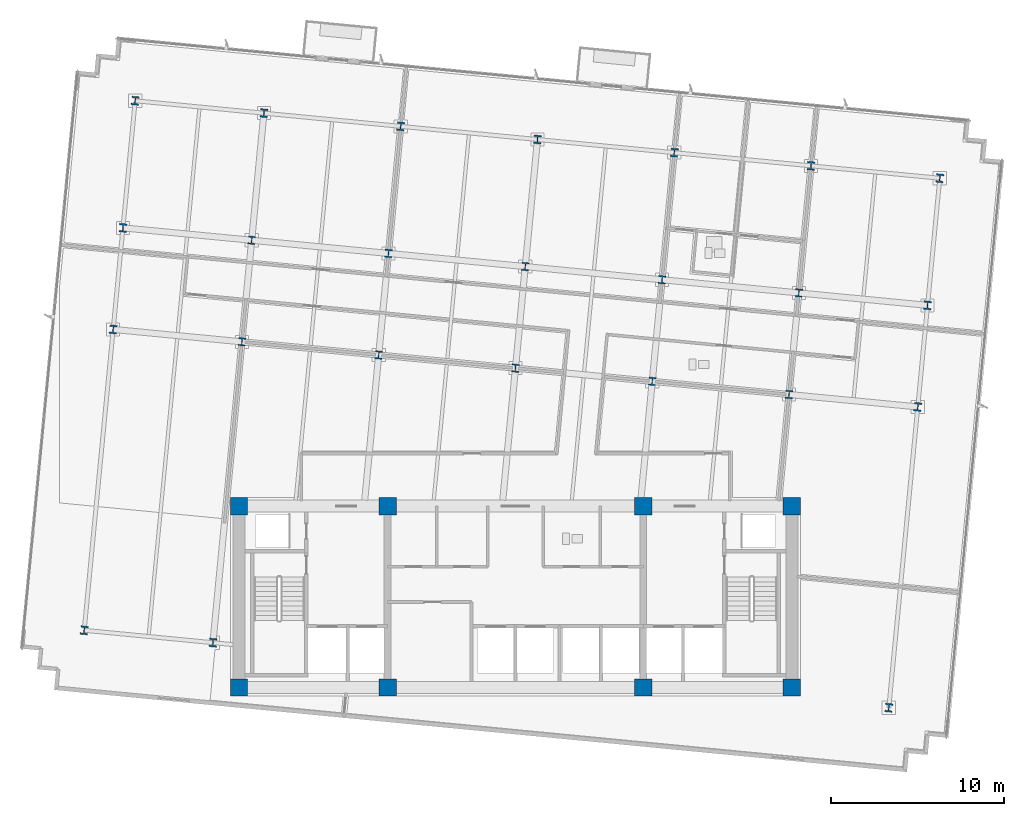
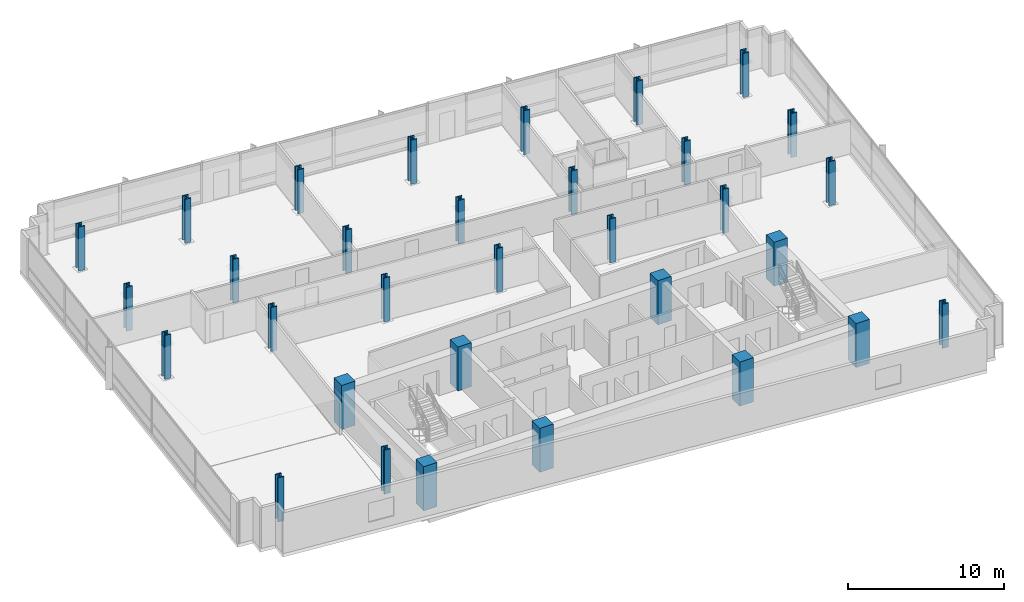
# One storey, part 1 of 16: 32 columns.
"""IFC4 building model written with IfcOpenShell, lengths in metres."""

from ifc_helpers import new_model, si_unit, direction, frame, origin, origin_2d, place, context, subcontext, project, spatial, rectangle, i_section, extrude, material, material_profile, profile_set, type_object, element, save


model = new_model("IFC4")

# Units and contexts
model_context = context("Model", 3, precision=1e-05, world=origin(), true_north=direction((0.0, 1.0)))
body_context = subcontext(model_context, "Body", "Model", "MODEL_VIEW")
ifc_project = project(units=[si_unit("LENGTHUNIT", "METRE"), si_unit("AREAUNIT", "SQUARE_METRE"), si_unit("VOLUMEUNIT", "CUBIC_METRE"), si_unit("PLANEANGLEUNIT", "RADIAN"), si_unit("MASSUNIT", "GRAM", prefix="KILO")], contexts=[model_context])

# Site, building, storey
site_placement = place(None, origin())
site = spatial("IfcSite", under=ifc_project, at=site_placement, CompositionType="ELEMENT")
building_placement = place(site_placement, origin())
building = spatial("IfcBuilding", under=site, at=building_placement, Name="Solmavex Isthmus Hotel", CompositionType="ELEMENT")
storey_placement = place(building_placement, frame((0.0, 0.0, 160.050048828125)))
storey = spatial("IfcBuildingStorey", under=building, at=storey_placement, Name="L43", CompositionType="ELEMENT", Elevation=160.050048828125)

# Columns
ifc_material_1 = material(Name="Concrete C60/75", Category="concrete")
ifc_material_profile_1 = material_profile(ifc_material_1, rectangle(XDim=1.0, YDim=1.0, at=origin_2d()), Name="RC1000X1000")
ifc_profile_set_1 = profile_set([ifc_material_profile_1], Name="Concrete C60/75")
column_type_1 = type_object("IfcColumnType", Name="COL-CC-1000", PredefinedType="COLUMN", material=ifc_profile_set_1)
for number, where, z_axis, x_axis, name in (
    (1, (-16.0, -13.0, 0.0), (0.0, 0.0, 1.0), (1.0, 0.0, 0.0), "Core Pilaster CC-SW L43"),
    (2, (-7.39990234375, -13.0, 0.0), (0.0, 0.0, 1.0), (1.0, 0.0, 0.0), "Core Pilaster CC-S1 L43"),
    (3, (7.39990234375, -13.0, 0.0), (0.0, 0.0, 1.0), (1.0, 0.0, 0.0), "Core Pilaster CC-S2 L43"),
    (4, (16.0, -13.0, 0.0), (0.0, 0.0, 1.0), (1.0, 0.0, 0.0), "Core Pilaster CC-SE L43"),
    (5, (-16.0, -2.5, 0.0), (0.0, 0.0, 1.0), (1.0, 0.0, 0.0), "Core Pilaster CC-NW L43"),
    (6, (-7.39990234375, -2.5, 0.0), (0.0, 0.0, 1.0), (1.0, 0.0, 0.0), "Core Pilaster CC-N1 L43"),
    (7, (7.39990234375, -2.5, 0.0), (0.0, 0.0, 1.0), (1.0, 0.0, 0.0), "Core Pilaster CC-N2 L43"),
    (8, (16.0, -2.5, 0.0), (0.0, 0.0, 1.0), (1.0, 0.0, 0.0), "Core Pilaster CC-NE L43"),
):
    element("IfcColumn", number, at=place(storey_placement, frame(where, z_axis=z_axis, x_axis=x_axis)), inside=storey, type_object=column_type_1, Name=name, PredefinedType="COLUMN", context=body_context, shape_type="SweptSolid", body=[
        extrude(rectangle(XDim=1.0, YDim=1.0, at=origin_2d()), origin(), (0.0, 0.0, 1.0), 3.449951171875),
    ])
ifc_material_2 = material(Name="Steel ASTM A913 Grade 65", Category="steel")
ifc_material_profile_2 = material_profile(ifc_material_2, i_section(OverallWidth=0.424072265625, OverallDepth=0.47412109375, WebThickness=0.047607421875, FlangeThickness=0.0771484375, FilletRadius=0.030517578125, at=origin_2d()), Name="W14X426")
ifc_profile_set_2 = profile_set([ifc_material_profile_2], Name="Steel ASTM A913 Grade 65")
column_type_2 = type_object("IfcColumnType", Name="COL-SC-W14X426", PredefinedType="COLUMN", material=ifc_profile_set_2)
for number, where, z_axis, x_axis, name in (
    (9, (-15.83740234375, 7.015380859375, 0.0), (0.0, 0.0, 1.0), (0.995396198367, -0.09584575252, 0.0), "Tower Column B3-U2V2 L43"),
    (10, (-15.271240234375, 12.896240234375, 0.0), (0.0, 0.0, 1.0), (0.995396198367, -0.09584575252, 0.0), "Tower Column B3-U2V3 L43"),
    (11, (-7.918212890625, 6.2529296875, 0.0), (0.0, 0.0, 1.0), (0.995396198367, -0.09584575252, 0.0), "Tower Column B3-U3V2 L43"),
    (12, (-7.351806640625, 12.1337890625, 0.0), (0.0, 0.0, 1.0), (0.995396198367, -0.09584575252, 0.0), "Tower Column B3-U3V3 L43"),
    (13, (0.001220703125, 5.490234375, 0.0), (0.0, 0.0, 1.0), (0.995396198367, -0.09584575252, 0.0), "Tower Column B3-U4V2 L43"),
    (14, (0.567626953125, 11.37109375, 0.0), (0.0, 0.0, 1.0), (0.995396198367, -0.09584575252, 0.0), "Tower Column B3-U4V3 L43"),
    (15, (7.920654296875, 4.727783203125, 0.0), (0.0, 0.0, 1.0), (0.995396198367, -0.09584575252, 0.0), "Tower Column B3-U5V2 L43"),
    (16, (8.48681640625, 10.608642578125, 0.0), (0.0, 0.0, 1.0), (0.995396198367, -0.09584575252, 0.0), "Tower Column B3-U5V3 L43"),
    (17, (15.840087890625, 3.96533203125, 0.0), (0.0, 0.0, 1.0), (0.995396198367, -0.09584575252, 0.0), "Tower Column B3-U6V2 L43"),
    (18, (16.40625, 9.845947265625, 0.0), (0.0, 0.0, 1.0), (0.995396198367, -0.09584575252, 0.0), "Tower Column B3-U6V3 L43"),
):
    element("IfcColumn", number, at=place(storey_placement, frame(where, z_axis=z_axis, x_axis=x_axis)), inside=storey, type_object=column_type_2, Name=name, PredefinedType="COLUMN", context=body_context, shape_type="SweptSolid", body=[
        extrude(i_section(OverallWidth=0.424072265625, OverallDepth=0.47412109375, WebThickness=0.047607421875, FlangeThickness=0.0771484375, FilletRadius=0.030517578125, at=origin_2d()), origin(), (0.0, 0.0, 1.0), 3.449951171875),
    ])
ifc_material_profile_3 = material_profile(ifc_material_2, i_section(OverallWidth=0.43212890625, OverallDepth=0.497802734375, WebThickness=0.0556640625, FlangeThickness=0.0888671875, FilletRadius=0.030517578125, at=origin_2d()), Name="W14X500")
ifc_profile_set_3 = profile_set([ifc_material_profile_3], Name="Steel ASTM A913 Grade 65")
column_type_3 = type_object("IfcColumnType", Name="COL-SC-W14X500", PredefinedType="COLUMN", material=ifc_profile_set_3)
for number, where, z_axis, x_axis, name in (
    (19, (-24.96826171875, -9.686279296875, 0.0), (0.0, 0.0, 1.0), (0.995396198367, -0.09584575252, 0.0), "Tower Column B3-U1V1 L43"),
    (20, (-23.291015625, 7.733154296875, 0.0), (0.0, 0.0, 1.0), (0.995396198367, -0.09584575252, 0.0), "Tower Column B3-U1V2 L43"),
    (21, (-22.724853515625, 13.614013671875, 0.0), (0.0, 0.0, 1.0), (0.995396198367, -0.09584575252, 0.0), "Tower Column B3-U1V3 L43"),
    (22, (-22.016357421875, 20.971923828125, 0.0), (0.0, 0.0, 1.0), (0.995396198367, -0.09584575252, 0.0), "Tower Column B3-U1V4 L43"),
    (23, (-17.5146484375, -10.404052734375, 0.0), (0.0, 0.0, 1.0), (0.995396198367, -0.09584575252, 0.0), "Tower Column B3-U2V1 L43"),
    (24, (-14.562744140625, 20.254150390625, 0.0), (0.0, 0.0, 1.0), (0.995396198367, -0.09584575252, 0.0), "Tower Column B3-U2V4 L43"),
    (25, (-6.643310546875, 19.49169921875, 0.0), (0.0, 0.0, 1.0), (0.995396198367, -0.09584575252, 0.0), "Tower Column B3-U3V4 L43"),
    (26, (1.276123046875, 18.72900390625, 0.0), (0.0, 0.0, 1.0), (0.995396198367, -0.09584575252, 0.0), "Tower Column B3-U4V4 L43"),
    (27, (9.1953125, 17.966552734375, 0.0), (0.0, 0.0, 1.0), (0.995396198367, -0.09584575252, 0.0), "Tower Column B3-U5V4 L43"),
    (28, (17.11474609375, 17.2041015625, 0.0), (0.0, 0.0, 1.0), (0.995396198367, -0.09584575252, 0.0), "Tower Column B3-U6V4 L43"),
    (29, (21.6162109375, -14.171875, 0.0), (0.0, 0.0, 1.0), (0.995396198367, -0.09584575252, 0.0), "Tower Column B3-U7V1 L43"),
    (30, (23.29345703125, 3.24755859375, 0.0), (0.0, 0.0, 1.0), (0.995396198367, -0.09584575252, 0.0), "Tower Column B3-U7V2 L43"),
    (31, (23.85986328125, 9.12841796875, 0.0), (0.0, 0.0, 1.0), (0.995396198367, -0.09584575252, 0.0), "Tower Column B3-U7V3 L43"),
    (32, (24.568359375, 16.486328125, 0.0), (0.0, 0.0, 1.0), (0.995396198367, -0.09584575252, 0.0), "Tower Column B3-U7V4 L43"),
):
    element("IfcColumn", number, at=place(storey_placement, frame(where, z_axis=z_axis, x_axis=x_axis)), inside=storey, type_object=column_type_3, Name=name, PredefinedType="COLUMN", context=body_context, shape_type="SweptSolid", body=[
        extrude(i_section(OverallWidth=0.43212890625, OverallDepth=0.497802734375, WebThickness=0.0556640625, FlangeThickness=0.0888671875, FilletRadius=0.030517578125, at=origin_2d()), origin(), (0.0, 0.0, 1.0), 3.449951171875),
    ])

save(model, "model.ifc")
